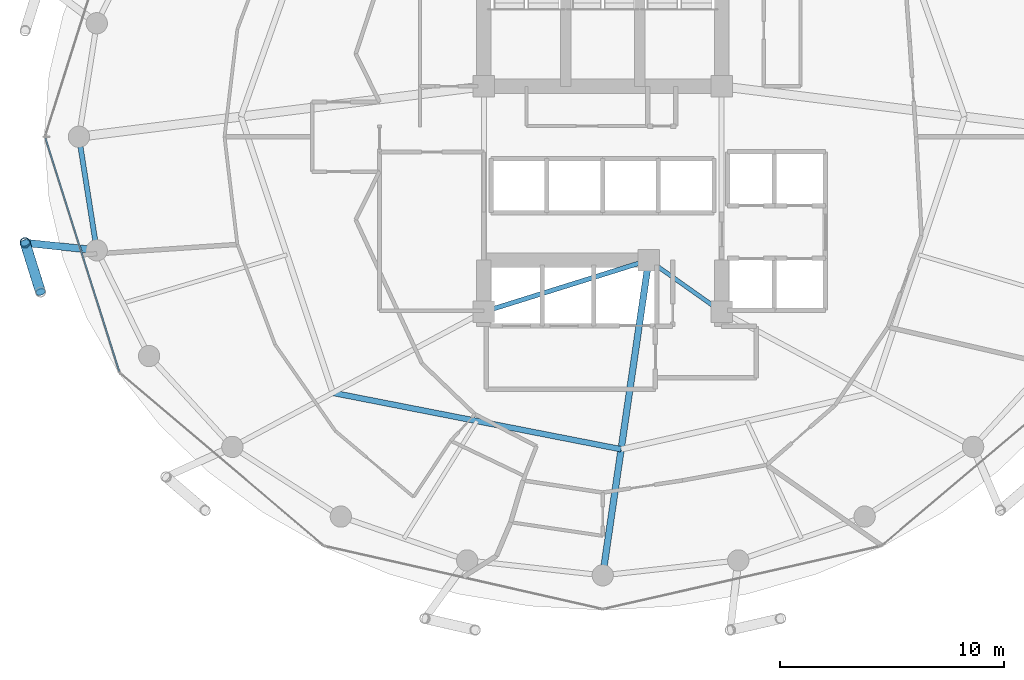
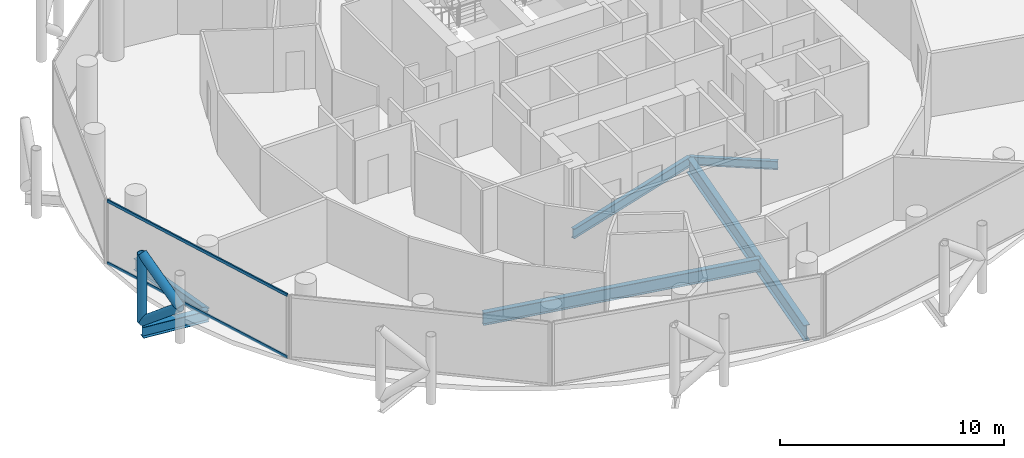
# One storey, part 5 of 27: 6 beams, 5 members, 1 element without a shape of its own.
"""IFC4 building model written with IfcOpenShell, lengths in metres."""

from ifc_helpers import new_model, si_unit, direction, frame, origin, origin_2d, place, context, subcontext, project, spatial, hollow_rectangle, hollow_circle, i_section, extrude, material, layer, layer_set, material_profile, profile_set, type_object, element, aggregate, save


model = new_model("IFC4")

# Units and contexts
model_context = context("Model", 3, precision=1e-05, world=origin(), true_north=direction((0.0, 1.0)))
body_context = subcontext(model_context, "Body", "Model", "MODEL_VIEW")
ifc_project = project(units=[si_unit("LENGTHUNIT", "METRE"), si_unit("AREAUNIT", "SQUARE_METRE"), si_unit("VOLUMEUNIT", "CUBIC_METRE"), si_unit("PLANEANGLEUNIT", "RADIAN"), si_unit("MASSUNIT", "GRAM", prefix="KILO")], contexts=[model_context])

# Site, building, storey
site_placement = place(None, origin())
site = spatial("IfcSite", under=ifc_project, at=site_placement, CompositionType="ELEMENT")
building_placement = place(site_placement, origin())
building = spatial("IfcBuilding", under=site, at=building_placement, Name="Nuhasar Tower", CompositionType="ELEMENT")
storey_placement = place(building_placement, frame((0.0, 0.0, 158.949951171875)))
storey = spatial("IfcBuildingStorey", under=building, at=storey_placement, Name="L38", CompositionType="ELEMENT", Elevation=158.949951171875)

# Beams
ifc_material_1 = material(Name="Steel S355", Category="steel")
ifc_material_profile_1 = material_profile(ifc_material_1, i_section(OverallWidth=0.25390625, OverallDepth=0.68408203125, WebThickness=0.012451171875, FlangeThickness=0.018798828125, at=origin_2d()), Name="W27X94")
ifc_profile_set_1 = profile_set([ifc_material_profile_1], Name="Steel S355")
beam_type_1 = type_object("IfcBeamType", Name="BM-INRING-W27X94", PredefinedType="BEAM", material=ifc_profile_set_1)
beam_1_placement = place(storey_placement, frame((26.972900390625, 15.385986328125, -0.592041015625), z_axis=(0.981359637088, -0.192180286956, 0.0), x_axis=(0.192180286956, 0.981359637088, 0.0)))
element("IfcBeam", 1, at=beam_1_placement, inside=storey, type_object=beam_type_1, Name="L38 Inner Header Beam 01", PredefinedType="BEAM", context=body_context, shape_type="SweptSolid", body=[
    extrude(i_section(OverallWidth=0.25390625, OverallDepth=0.68408203125, WebThickness=0.012451171875, FlangeThickness=0.018798828125, at=origin_2d()), origin(), (0.0, 0.0, 1.0), 13.09130859375),
])
ifc_material_profile_2 = material_profile(ifc_material_1, i_section(OverallWidth=0.2919921875, OverallDepth=0.85888671875, WebThickness=0.01708984375, FlangeThickness=0.031005859375, at=origin_2d()), Name="W33X169")
ifc_profile_set_2 = profile_set([ifc_material_profile_2], Name="Steel S355")
beam_type_2 = type_object("IfcBeamType", Name="BM-POD-W33X169", PredefinedType="BEAM", material=ifc_profile_set_2)
beam_2_placement = place(storey_placement, frame((41.050048828125, 21.300048828125, -0.679931640625), z_axis=(-0.144381604017, -0.989522082837, 0.0), x_axis=(0.989522082837, -0.144381604017, 0.0)))
element("IfcBeam", 2, at=beam_2_placement, inside=storey, type_object=beam_type_2, Name="L38 Radial Floor Girder 02", PredefinedType="BEAM", context=body_context, shape_type="SweptSolid", body=[
    extrude(i_section(OverallWidth=0.2919921875, OverallDepth=0.85888671875, WebThickness=0.01708984375, FlangeThickness=0.031005859375, at=origin_2d()), origin(), (0.0, 0.0, 1.0), 14.19873046875),
])
ifc_material_profile_3 = material_profile(ifc_material_1, i_section(OverallWidth=0.18994140625, OverallDepth=0.45703125, WebThickness=0.009033203125, FlangeThickness=0.014404296875, at=origin_2d()), Name="W18X50")
ifc_profile_set_3 = profile_set([ifc_material_profile_3], Name="Steel S355")
beam_type_3 = type_object("IfcBeamType", Name="BM-RAD-W18X50", PredefinedType="BEAM", material=ifc_profile_set_3)
beam_3_placement = place(storey_placement, frame((41.050048828125, 21.300048828125, -0.47900390625), z_axis=(0.816265428953, -0.577677028708, 0.0), x_axis=(0.577677028708, 0.816265428953, 0.0)))
element("IfcBeam", 3, at=beam_3_placement, inside=storey, type_object=beam_type_3, Name="L38 Core Ring Girder 2", PredefinedType="BEAM", context=body_context, shape_type="SweptSolid", body=[
    extrude(i_section(OverallWidth=0.18994140625, OverallDepth=0.45703125, WebThickness=0.009033203125, FlangeThickness=0.014404296875, at=origin_2d()), origin(), (0.0, 0.0, 1.0), 3.9814453125),
])
ifc_material_profile_4 = material_profile(ifc_material_1, i_section(OverallWidth=0.208984375, OverallDepth=0.532958984375, WebThickness=0.01025390625, FlangeThickness=0.015625, at=origin_2d()), Name="W21X62")
ifc_profile_set_4 = profile_set([ifc_material_profile_4], Name="Steel S355")
beam_type_4 = type_object("IfcBeamType", Name="BM-RAD-W21X62", PredefinedType="BEAM", material=ifc_profile_set_4)
beam_4_placement = place(storey_placement, frame((33.699951171875, 19.0, -0.516845703125), z_axis=(0.954363709454, 0.298646798205, 0.0), x_axis=(-0.298646798205, 0.954363709454, 0.0)))
element("IfcBeam", 4, at=beam_4_placement, inside=storey, type_object=beam_type_4, Name="L38 Core Ring Girder 1", PredefinedType="BEAM", context=body_context, shape_type="SweptSolid", body=[
    extrude(i_section(OverallWidth=0.208984375, OverallDepth=0.532958984375, WebThickness=0.01025390625, FlangeThickness=0.015625, at=origin_2d()), origin(), (0.0, 0.0, 1.0), 7.70166015625),
])
ifc_material_profile_5 = material_profile(ifc_material_1, i_section(OverallWidth=0.22998046875, OverallDepth=0.616943359375, WebThickness=0.01318359375, FlangeThickness=0.022216796875, at=origin_2d()), Name="W24X94")
ifc_profile_set_5 = profile_set([ifc_material_profile_5], Name="Steel S355")
beam_type_5 = type_object("IfcBeamType", Name="BM-RING-W24X94", PredefinedType="SPANDREL", material=ifc_profile_set_5)
beam_5_placement = place(storey_placement, frame((15.64990234375, 26.800048828125, -0.558837890625), z_axis=(0.155426543608, -0.987847452566, 0.0), x_axis=(0.987847452566, 0.155426543608, 0.0)))
element("IfcBeam", 5, at=beam_5_placement, inside=storey, type_object=beam_type_5, Name="L38 Perimeter Ring Spandrel 13", PredefinedType="SPANDREL", context=body_context, shape_type="SweptSolid", body=[
    extrude(i_section(OverallWidth=0.22998046875, OverallDepth=0.616943359375, WebThickness=0.01318359375, FlangeThickness=0.022216796875, at=origin_2d()), origin(), (0.0, 0.0, 1.0), 5.122314453125),
])
ifc_material_profile_6 = material_profile(ifc_material_1, i_section(OverallWidth=0.323974609375, OverallDepth=0.611083984375, WebThickness=0.0126953125, FlangeThickness=0.01904296875, at=origin_2d()), Name="W24X104")
ifc_profile_set_6 = profile_set([ifc_material_profile_6], Name="Steel S355")
beam_type_6 = type_object("IfcBeamType", Name="BM-TIE-W24X104", PredefinedType="BEAM", material=ifc_profile_set_6)
beam_6_placement = place(storey_placement, frame((16.446044921875, 21.739990234375, -0.555908203125), z_axis=(-0.994577694483, 0.103996200111, 0.0), x_axis=(-0.103996200111, -0.994577694483, 0.0)))
element("IfcBeam", 6, at=beam_6_placement, inside=storey, type_object=beam_type_6, Name="L38 Exoskeleton Node Tie Beam 07", PredefinedType="BEAM", context=body_context, shape_type="SweptSolid", body=[
    extrude(i_section(OverallWidth=0.323974609375, OverallDepth=0.611083984375, WebThickness=0.0126953125, FlangeThickness=0.01904296875, at=origin_2d()), origin(), (0.0, 0.0, 1.0), 3.21142578125),
])

# Curtain wall, members
ifc_material_2 = material(Name="Aluminium 6063-T6", Category="aluminium")
ifc_layer = layer(ifc_material_2, 0.199951171875)
ifc_layer_set = layer_set([ifc_layer], Name="Aluminium 6063-T6")
curtain_wall_type = type_object("IfcCurtainWallType", Name="CW-Z2-HTL", PredefinedType="NOTDEFINED", material=ifc_layer_set)
curtain_wall_placement = place(storey_placement, origin())
curtain_wall = element("IfcCurtainWall", 7, at=curtain_wall_placement, inside=storey, type_object=curtain_wall_type, Name="L38 Unitised Curtain Wall 07", PredefinedType="NOTDEFINED")
ifc_material_profile_7 = material_profile(ifc_material_2, hollow_rectangle(XDim=0.070068359375, YDim=0.159912109375, WallThickness=0.00439453125, at=origin_2d()), Name="CWT-3")
ifc_profile_set_7 = profile_set([ifc_material_profile_7], Name="Aluminium 6063-T6")
member_type_1 = type_object("IfcMemberType", Name="CW-TRN-S3", PredefinedType="USERDEFINED", material=ifc_profile_set_7)
member_1_placement = place(storey_placement, frame((14.1611328125, 26.733154296875, 0.03515625), z_axis=(0.301608163352, -0.953431967053, 0.0), x_axis=(0.953431967053, 0.301608163352, 0.0)))
member_1 = element("IfcMember", 8, at=member_1_placement, type_object=member_type_1, Name="CW-Z2 transom 1.1", ObjectType="TRANSOM", PredefinedType="USERDEFINED", context=body_context, shape_type="SweptSolid", body=[
    extrude(hollow_rectangle(XDim=0.070068359375, YDim=0.159912109375, WallThickness=0.00439453125, at=origin_2d()), origin(), (0.0, 0.0, 1.0), 10.904296875),
])
member_2_placement = place(storey_placement, frame((14.1611328125, 26.733154296875, 3.4150390625), z_axis=(0.301608163352, -0.953431967053, 0.0), x_axis=(0.953431967053, 0.301608163352, 0.0)))
member_2 = element("IfcMember", 9, at=member_2_placement, type_object=member_type_1, Name="CW-Z2 transom 1.2", ObjectType="TRANSOM", PredefinedType="USERDEFINED", context=body_context, shape_type="SweptSolid", body=[
    extrude(hollow_rectangle(XDim=0.070068359375, YDim=0.159912109375, WallThickness=0.00439453125, at=origin_2d()), origin(), (0.0, 0.0, 1.0), 10.904296875),
])
aggregate(curtain_wall, [member_1, member_2])

# Members
ifc_material_3 = material(Name="Steel S460", Category="steel")
ifc_material_profile_8 = material_profile(ifc_material_3, hollow_circle(Radius=0.228515625, WallThickness=0.022216796875, at=origin_2d()), Name="HSS457X22.2")
ifc_profile_set_8 = profile_set([ifc_material_profile_8], Name="Steel S460")
member_type_2 = type_object("IfcMemberType", Name="EXO-BRONZE-457", PredefinedType="BRACE", material=ifc_profile_set_8)
member_3_placement = place(storey_placement, frame((13.251953125, 22.073974609375, 0.0), z_axis=(0.0, 0.0, 1.0), x_axis=(1.0, 0.0, 0.0)))
element("IfcMember", 10, at=member_3_placement, inside=storey, type_object=member_type_2, Name="L38 Exoskeleton Chord Column EC-07A", PredefinedType="BRACE", context=body_context, shape_type="SweptSolid", body=[
    extrude(hollow_circle(Radius=0.228515625, WallThickness=0.022216796875, at=origin_2d()), origin(), (0.0, 0.0, 1.0), 3.699951171875),
])
member_4_placement = place(storey_placement, frame((13.251953125, 22.073974609375, 0.0), z_axis=(0.233055548538, -0.743577869731, 0.626719285599), x_axis=(0.954228474306, 0.29907861646, 0.0)))
element("IfcMember", 11, at=member_4_placement, inside=storey, type_object=member_type_2, Name="L38 Bronze Diagrid Brace W1-07", PredefinedType="BRACE", context=body_context, shape_type="SweptSolid", body=[
    extrude(hollow_circle(Radius=0.228515625, WallThickness=0.022216796875, at=origin_2d()), origin(), (0.0, 0.0, 1.0), 2.9521484375),
])
member_5_placement = place(storey_placement, frame((13.93994140625, 19.87890625, 1.85009765625), z_axis=(-0.233067628236, 0.74361641074, 0.626669062861), x_axis=(-0.954228474306, -0.29907861646, 0.0)))
element("IfcMember", 12, at=member_5_placement, inside=storey, type_object=member_type_2, Name="L38 Bronze Diagrid Brace W2-07", PredefinedType="BRACE", context=body_context, shape_type="SweptSolid", body=[
    extrude(hollow_circle(Radius=0.228515625, WallThickness=0.022216796875, at=origin_2d()), origin(), (0.0, 0.0, 1.0), 2.951904296875),
])

save(model, "model.ifc")
